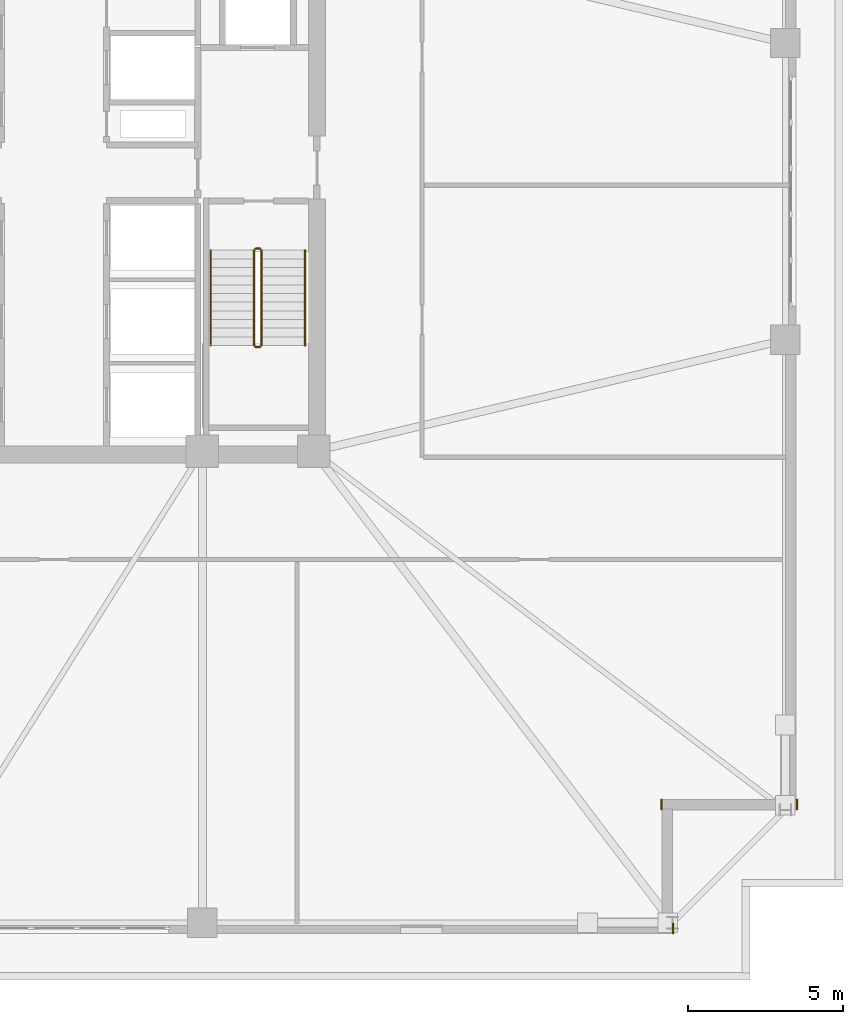
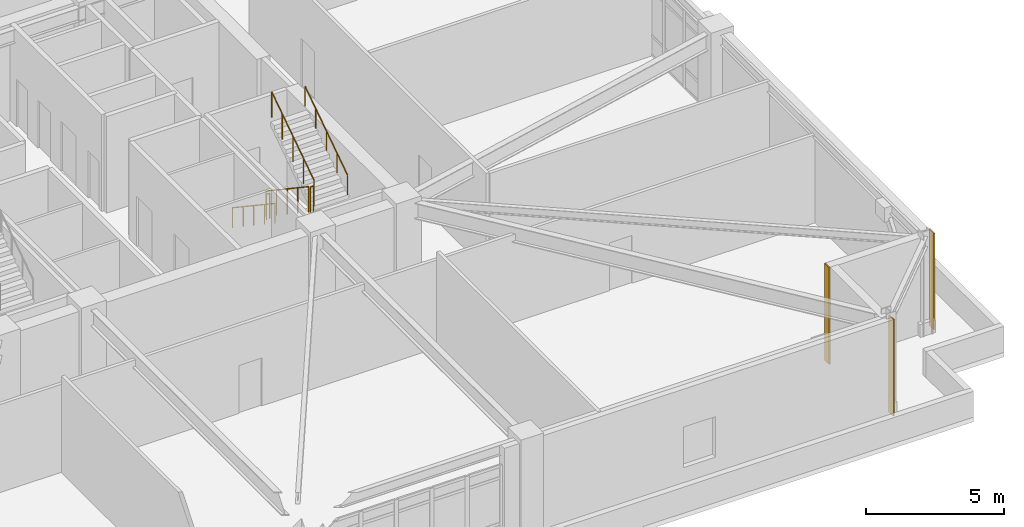
# One storey, part 11 of 13: 6 railings, 3 coverings.
"""IFC4 building model written with IfcOpenShell, lengths in metres."""

from ifc_helpers import new_model, si_unit, direction, frame, frame_2d, origin, origin_2d, place, context, subcontext, project, spatial, rectangle, circle, extrude, material, layer, layer_set, type_object, element, save


model = new_model("IFC4")

# Units and contexts
model_context = context("Model", 3, precision=1e-05, world=origin(), true_north=direction((0.0, 1.0)))
body_context = subcontext(model_context, "Body", "Model", "MODEL_VIEW")
ifc_project = project(units=[si_unit("LENGTHUNIT", "METRE"), si_unit("AREAUNIT", "SQUARE_METRE"), si_unit("VOLUMEUNIT", "CUBIC_METRE"), si_unit("PLANEANGLEUNIT", "RADIAN"), si_unit("MASSUNIT", "GRAM", prefix="KILO")], contexts=[model_context])

# Site, building, storey
site_placement = place(None, origin())
site = spatial("IfcSite", under=ifc_project, at=site_placement, CompositionType="ELEMENT")
building_placement = place(site_placement, origin())
building = spatial("IfcBuilding", under=site, at=building_placement, Name="Cairnveth Concourse Tower", CompositionType="ELEMENT")
storey_placement = place(building_placement, frame((0.0, 0.0, 101.5)))
storey = spatial("IfcBuildingStorey", under=building, at=storey_placement, Name="L27", CompositionType="ELEMENT", Elevation=101.5)

# Coverings
ifc_material_1 = material(Name="Dressed Melbourne Bluestone Cladding", Category="masonry")
ifc_layer = layer(ifc_material_1, 0.050048828125)
ifc_layer_set = layer_set([ifc_layer], Name="Dressed Melbourne Bluestone Cladding")
covering_type = type_object("IfcCoveringType", Name="DRESSED BLUESTONE PLINTH CLADDING 50", PredefinedType="CLADDING", material=ifc_layer_set)
for number, where, z_axis, x_axis, name in (
    (1, (76.02001953125, 19.340087890625, 0.0), (0.0, 0.0, 1.0), (0.0, -1.0, 0.0), "Melbourne Bluestone Corner Quoin L27-375"),
    (2, (71.639892578125, 19.340087890625, 0.0), (0.0, 0.0, 1.0), (0.0, -1.0, 0.0), "Melbourne Bluestone Corner Quoin L27-376"),
    (3, (72.02001953125, 15.340087890625, 0.0), (0.0, 0.0, 1.0), (0.0, -1.0, 0.0), "Melbourne Bluestone Corner Quoin L27-377"),
):
    element("IfcCovering", number, at=place(storey_placement, frame(where, z_axis=z_axis, x_axis=x_axis)), inside=storey, type_object=covering_type, Name=name, PredefinedType="CLADDING", context=body_context, shape_type="SweptSolid", body=[
        extrude(rectangle(XDim=0.340087890625, YDim=0.050048828125, at=frame_2d((0.169921875, 0.0))), origin(), (0.0, 0.0, 1.0), 4.280029296875),
    ])

# Railings
ifc_material_2 = material(Name="Steel Grade 350", Category="steel")
railing_type_1 = type_object("IfcRailingType", Name="STAIR GUARDRAIL 1150", PredefinedType="GUARDRAIL", material=ifc_material_2)
railing_1_placement = place(storey_placement, frame((58.469970703125, 37.10009765625, 0.1875)))
element("IfcRailing", 4, at=railing_1_placement, inside=storey, type_object=railing_type_1, Name="L27 ST-2 stair guard 1", PredefinedType="GUARDRAIL", context=body_context, shape_type="SweptSolid", body=[
    extrude(circle(Radius=0.02392578125, at=origin_2d()), frame((0.0, 0.0, 1.1259765625), z_axis=(0.0, -0.830913701846, 0.55640131208), x_axis=(1.0, 0.0, 0.0)), (0.0, 0.0, 1.0), 3.706787109375),
    extrude(circle(Radius=0.02099609375, at=origin_2d()), origin(), (0.0, 0.0, 1.0), 1.101806640625),
    extrude(circle(Radius=0.02099609375, at=origin_2d()), frame((0.0, -0.77001953125, 0.515625)), (0.0, 0.0, 1.0), 1.101806640625),
    extrude(circle(Radius=0.02099609375, at=origin_2d()), frame((0.0, -1.5400390625, 1.03125)), (0.0, 0.0, 1.0), 1.101806640625),
    extrude(circle(Radius=0.02099609375, at=origin_2d()), frame((0.0, -2.31005859375, 1.546875)), (0.0, 0.0, 1.0), 1.101806640625),
    extrude(circle(Radius=0.02099609375, at=origin_2d()), frame((0.0, -3.080078125, 2.0625)), (0.0, 0.0, 1.0), 1.101806640625),
])
railing_2_placement = place(storey_placement, frame((58.52001953125, 33.969970703125, 2.25)))
element("IfcRailing", 5, at=railing_2_placement, inside=storey, type_object=railing_type_1, Name="L27 ST-2 stair guard 2", PredefinedType="GUARDRAIL", context=body_context, shape_type="SweptSolid", body=[
    extrude(circle(Radius=0.02392578125, at=origin_2d()), frame((0.0, 0.0, 1.1259765625), z_axis=(1.0, 0.0, 0.0), x_axis=(0.0, 1.0, 0.0)), (0.0, 0.0, 1.0), 0.139892578125),
    extrude(circle(Radius=0.02099609375, at=origin_2d()), origin(), (0.0, 0.0, 1.0), 1.101806640625),
    extrude(circle(Radius=0.02099609375, at=origin_2d()), frame((0.139892578125, 0.0, 0.0)), (0.0, 0.0, 1.0), 1.101806640625),
])
railing_3_placement = place(storey_placement, frame((58.7099609375, 34.02001953125, 2.4375)))
element("IfcRailing", 6, at=railing_3_placement, inside=storey, type_object=railing_type_1, Name="L27 ST-2 stair guard 3", PredefinedType="GUARDRAIL", context=body_context, shape_type="SweptSolid", body=[
    extrude(circle(Radius=0.02392578125, at=origin_2d()), frame((0.0, 0.0, 1.1259765625), z_axis=(0.0, 0.830913701846, 0.55640131208), x_axis=(-1.0, 0.0, 0.0)), (0.0, 0.0, 1.0), 3.706787109375),
    extrude(circle(Radius=0.02099609375, at=origin_2d()), origin(), (0.0, 0.0, 1.0), 1.101806640625),
    extrude(circle(Radius=0.02099609375, at=origin_2d()), frame((0.0, 0.77001953125, 0.515625)), (0.0, 0.0, 1.0), 1.101806640625),
    extrude(circle(Radius=0.02099609375, at=origin_2d()), frame((0.0, 1.5400390625, 1.03125)), (0.0, 0.0, 1.0), 1.101806640625),
    extrude(circle(Radius=0.02099609375, at=origin_2d()), frame((0.0, 2.31005859375, 1.546875)), (0.0, 0.0, 1.0), 1.101806640625),
    extrude(circle(Radius=0.02099609375, at=origin_2d()), frame((0.0, 3.080078125, 2.0625)), (0.0, 0.0, 1.0), 1.101806640625),
])
railing_4_placement = place(storey_placement, frame((58.52001953125, 37.14990234375, 0.0)))
element("IfcRailing", 7, at=railing_4_placement, inside=storey, type_object=railing_type_1, Name="L27 ST-2 stair guard 4", PredefinedType="GUARDRAIL", context=body_context, shape_type="SweptSolid", body=[
    extrude(circle(Radius=0.02392578125, at=origin_2d()), frame((0.0, 0.0, 1.1259765625), z_axis=(1.0, 0.0, 0.0), x_axis=(0.0, 1.0, 0.0)), (0.0, 0.0, 1.0), 0.139892578125),
    extrude(circle(Radius=0.02099609375, at=origin_2d()), origin(), (0.0, 0.0, 1.0), 1.101806640625),
    extrude(circle(Radius=0.02099609375, at=origin_2d()), frame((0.139892578125, 0.0, 0.0)), (0.0, 0.0, 1.0), 1.101806640625),
])
railing_type_2 = type_object("IfcRailingType", Name="STAIR WALL HANDRAIL 900", PredefinedType="HANDRAIL", material=ifc_material_2)
railing_5_placement = place(storey_placement, frame((57.070068359375, 37.10009765625, 0.1875)))
element("IfcRailing", 8, at=railing_5_placement, inside=storey, type_object=railing_type_2, Name="L27 ST-2 stair handrail 1", PredefinedType="HANDRAIL", context=body_context, shape_type="SweptSolid", body=[
    extrude(circle(Radius=0.02392578125, at=origin_2d()), frame((0.0, 0.0, 0.8759765625), z_axis=(0.0, -0.830913701846, 0.55640131208), x_axis=(1.0, 0.0, 0.0)), (0.0, 0.0, 1.0), 3.706787109375),
    extrude(circle(Radius=0.02099609375, at=origin_2d()), origin(), (0.0, 0.0, 1.0), 0.851806640625),
    extrude(circle(Radius=0.02099609375, at=origin_2d()), frame((0.0, -0.77001953125, 0.515625)), (0.0, 0.0, 1.0), 0.851806640625),
    extrude(circle(Radius=0.02099609375, at=origin_2d()), frame((0.0, -1.5400390625, 1.03125)), (0.0, 0.0, 1.0), 0.851806640625),
    extrude(circle(Radius=0.02099609375, at=origin_2d()), frame((0.0, -2.31005859375, 1.546875)), (0.0, 0.0, 1.0), 0.851806640625),
    extrude(circle(Radius=0.02099609375, at=origin_2d()), frame((0.0, -3.080078125, 2.0625)), (0.0, 0.0, 1.0), 0.851806640625),
])
railing_6_placement = place(storey_placement, frame((60.110107421875, 34.02001953125, 2.4375)))
element("IfcRailing", 9, at=railing_6_placement, inside=storey, type_object=railing_type_2, Name="L27 ST-2 stair handrail 2", PredefinedType="HANDRAIL", context=body_context, shape_type="SweptSolid", body=[
    extrude(circle(Radius=0.02392578125, at=origin_2d()), frame((0.0, 0.0, 0.8759765625), z_axis=(0.0, 0.830913701846, 0.55640131208), x_axis=(-1.0, 0.0, 0.0)), (0.0, 0.0, 1.0), 3.706787109375),
    extrude(circle(Radius=0.02099609375, at=origin_2d()), origin(), (0.0, 0.0, 1.0), 0.851806640625),
    extrude(circle(Radius=0.02099609375, at=origin_2d()), frame((0.0, 0.77001953125, 0.515625)), (0.0, 0.0, 1.0), 0.851806640625),
    extrude(circle(Radius=0.02099609375, at=origin_2d()), frame((0.0, 1.5400390625, 1.03125)), (0.0, 0.0, 1.0), 0.851806640625),
    extrude(circle(Radius=0.02099609375, at=origin_2d()), frame((0.0, 2.31005859375, 1.546875)), (0.0, 0.0, 1.0), 0.851806640625),
    extrude(circle(Radius=0.02099609375, at=origin_2d()), frame((0.0, 3.080078125, 2.0625)), (0.0, 0.0, 1.0), 0.851806640625),
])

save(model, "model.ifc")
